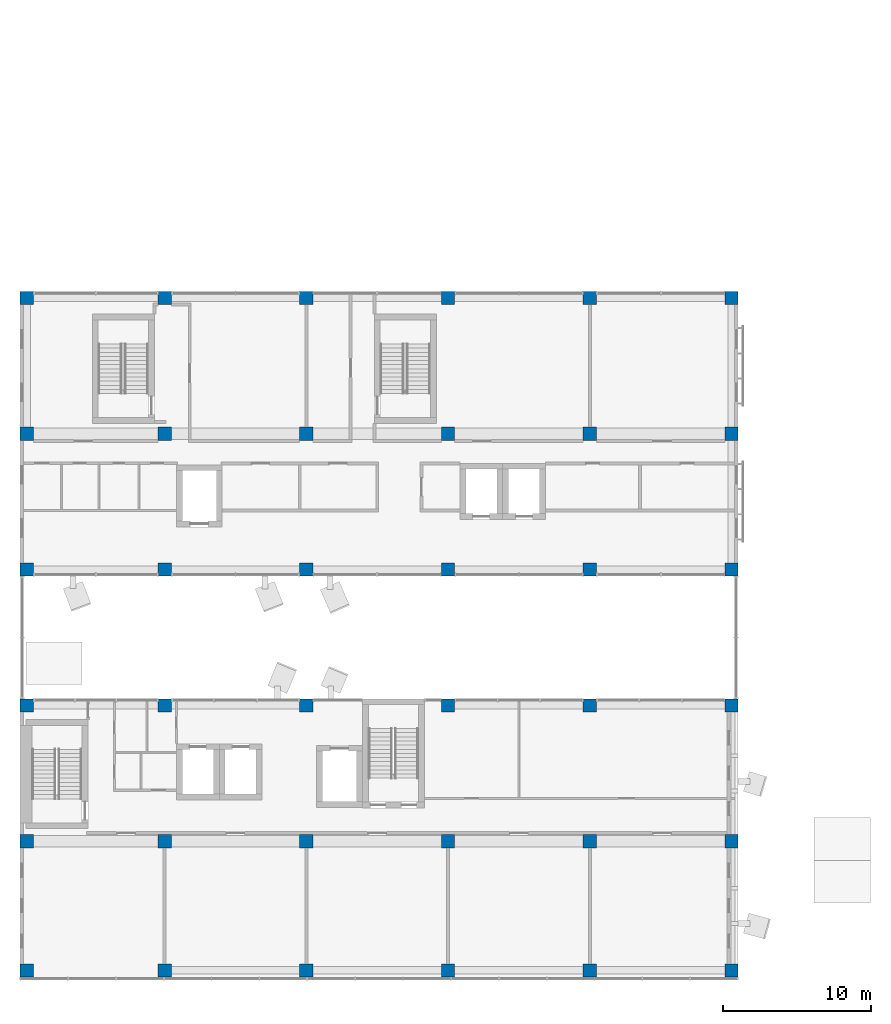
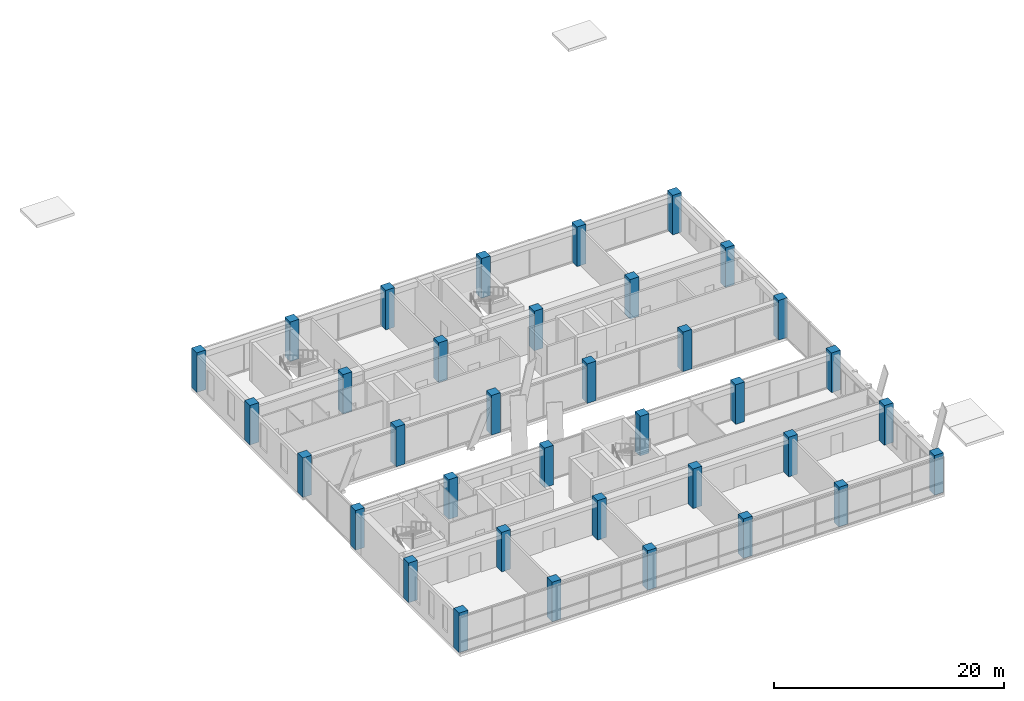
# One storey, part 1 of 36: 36 columns.
"""IFC4 building model written with IfcOpenShell, lengths in metres."""

from ifc_helpers import new_model, si_unit, direction, frame, origin, origin_2d, place, context, subcontext, project, spatial, rectangle, extrude, material, material_profile, profile_set, type_object, element, save


model = new_model("IFC4")

# Units and contexts
model_context = context("Model", 3, precision=1e-05, world=origin(), true_north=direction((0.0, 1.0)))
body_context = subcontext(model_context, "Body", "Model", "MODEL_VIEW")
ifc_project = project(units=[si_unit("LENGTHUNIT", "METRE"), si_unit("AREAUNIT", "SQUARE_METRE"), si_unit("VOLUMEUNIT", "CUBIC_METRE"), si_unit("PLANEANGLEUNIT", "RADIAN"), si_unit("MASSUNIT", "GRAM", prefix="KILO")], contexts=[model_context])

# Site, building, storey
site_placement = place(None, origin())
site = spatial("IfcSite", under=ifc_project, at=site_placement, CompositionType="ELEMENT")
building_placement = place(site_placement, origin())
building = spatial("IfcBuilding", under=site, at=building_placement, Name="Nzadi Deep Aquarium and Research Tower", CompositionType="ELEMENT")
storey_placement = place(building_placement, frame((0.0, 0.0, 36.10009765625)))
storey = spatial("IfcBuildingStorey", under=building, at=storey_placement, Name="L06", CompositionType="ELEMENT", Elevation=36.10009765625)

# Columns
ifc_material = material(Name="Concrete C40/50", Category="concrete")
ifc_material_profile = material_profile(ifc_material, rectangle(XDim=0.89990234375, YDim=0.89990234375, at=origin_2d()))
ifc_profile_set = profile_set([ifc_material_profile], Name="Concrete C40/50")
column_type = type_object("IfcColumnType", Name="RC 900x900", PredefinedType="COLUMN", material=ifc_profile_set)
for number, where, z_axis, x_axis, name in (
    (1, (0.25048828125, 0.449951171875, 0.0), (0.0, 0.0, 1.0), (1.0, 0.0, 0.0), "C-Z1-L06-A1"),
    (2, (9.60009765625, 0.449951171875, 0.0), (0.0, 0.0, 1.0), (1.0, 0.0, 0.0), "C-Z1-L06-B1"),
    (3, (19.199951171875, 0.449951171875, 0.0), (0.0, 0.0, 1.0), (1.0, 0.0, 0.0), "C-Z1-L06-C1"),
    (4, (28.800048828125, 0.449951171875, 0.0), (0.0, 0.0, 1.0), (1.0, 0.0, 0.0), "C-Z1-L06-D1"),
    (5, (38.39990234375, 0.449951171875, 0.0), (0.0, 0.0, 1.0), (1.0, 0.0, 0.0), "C-Z1-L06-E1"),
    (6, (48.0, 0.449951171875, 0.0), (0.0, 0.0, 1.0), (1.0, 0.0, 0.0), "C-Z1-L06-F1"),
    (7, (0.25048828125, 9.199951171875, 0.0), (0.0, 0.0, 1.0), (1.0, 0.0, 0.0), "C-Z1-L06-A2"),
    (8, (9.60009765625, 9.199951171875, 0.0), (0.0, 0.0, 1.0), (1.0, 0.0, 0.0), "C-Z1-L06-B2"),
    (9, (19.199951171875, 9.199951171875, 0.0), (0.0, 0.0, 1.0), (1.0, 0.0, 0.0), "C-Z1-L06-C2"),
    (10, (28.800048828125, 9.199951171875, 0.0), (0.0, 0.0, 1.0), (1.0, 0.0, 0.0), "C-Z1-L06-D2"),
    (11, (38.39990234375, 9.199951171875, 0.0), (0.0, 0.0, 1.0), (1.0, 0.0, 0.0), "C-Z1-L06-E2"),
    (12, (48.0, 9.199951171875, 0.0), (0.0, 0.0, 1.0), (1.0, 0.0, 0.0), "C-Z1-L06-F2"),
    (13, (0.25048828125, 18.39990234375, 0.0), (0.0, 0.0, 1.0), (1.0, 0.0, 0.0), "C-Z1-L06-A3"),
    (14, (9.60009765625, 18.39990234375, 0.0), (0.0, 0.0, 1.0), (1.0, 0.0, 0.0), "C-Z1-L06-B3"),
    (15, (19.199951171875, 18.39990234375, 0.0), (0.0, 0.0, 1.0), (1.0, 0.0, 0.0), "C-Z1-L06-C3"),
    (16, (28.800048828125, 18.39990234375, 0.0), (0.0, 0.0, 1.0), (1.0, 0.0, 0.0), "C-Z1-L06-D3"),
    (17, (38.39990234375, 18.39990234375, 0.0), (0.0, 0.0, 1.0), (1.0, 0.0, 0.0), "C-Z1-L06-E3"),
    (18, (48.0, 18.39990234375, 0.0), (0.0, 0.0, 1.0), (1.0, 0.0, 0.0), "C-Z1-L06-F3"),
    (19, (0.25048828125, 27.60009765625, 0.0), (0.0, 0.0, 1.0), (1.0, 0.0, 0.0), "C-Z1-L06-A4"),
    (20, (9.60009765625, 27.60009765625, 0.0), (0.0, 0.0, 1.0), (1.0, 0.0, 0.0), "C-Z1-L06-B4"),
    (21, (19.199951171875, 27.60009765625, 0.0), (0.0, 0.0, 1.0), (1.0, 0.0, 0.0), "C-Z1-L06-C4"),
    (22, (28.800048828125, 27.60009765625, 0.0), (0.0, 0.0, 1.0), (1.0, 0.0, 0.0), "C-Z1-L06-D4"),
    (23, (38.39990234375, 27.60009765625, 0.0), (0.0, 0.0, 1.0), (1.0, 0.0, 0.0), "C-Z1-L06-E4"),
    (24, (48.0, 27.60009765625, 0.0), (0.0, 0.0, 1.0), (1.0, 0.0, 0.0), "C-Z1-L06-F4"),
    (25, (0.25048828125, 36.800048828125, 0.0), (0.0, 0.0, 1.0), (1.0, 0.0, 0.0), "C-Z1-L06-A5"),
    (26, (9.60009765625, 36.800048828125, 0.0), (0.0, 0.0, 1.0), (1.0, 0.0, 0.0), "C-Z1-L06-B5"),
    (27, (19.199951171875, 36.800048828125, 0.0), (0.0, 0.0, 1.0), (1.0, 0.0, 0.0), "C-Z1-L06-C5"),
    (28, (28.800048828125, 36.800048828125, 0.0), (0.0, 0.0, 1.0), (1.0, 0.0, 0.0), "C-Z1-L06-D5"),
    (29, (38.39990234375, 36.800048828125, 0.0), (0.0, 0.0, 1.0), (1.0, 0.0, 0.0), "C-Z1-L06-E5"),
    (30, (48.0, 36.800048828125, 0.0), (0.0, 0.0, 1.0), (1.0, 0.0, 0.0), "C-Z1-L06-F5"),
    (31, (0.25048828125, 46.0, 0.0), (0.0, 0.0, 1.0), (1.0, 0.0, 0.0), "C-Z1-L06-A6"),
    (32, (9.60009765625, 46.0, 0.0), (0.0, 0.0, 1.0), (1.0, 0.0, 0.0), "C-Z1-L06-B6"),
    (33, (19.199951171875, 46.0, 0.0), (0.0, 0.0, 1.0), (1.0, 0.0, 0.0), "C-Z1-L06-C6"),
    (34, (28.800048828125, 46.0, 0.0), (0.0, 0.0, 1.0), (1.0, 0.0, 0.0), "C-Z1-L06-D6"),
    (35, (38.39990234375, 46.0, 0.0), (0.0, 0.0, 1.0), (1.0, 0.0, 0.0), "C-Z1-L06-E6"),
    (36, (48.0, 46.0, 0.0), (0.0, 0.0, 1.0), (1.0, 0.0, 0.0), "C-Z1-L06-F6"),
):
    element("IfcColumn", number, at=place(storey_placement, frame(where, z_axis=z_axis, x_axis=x_axis)), inside=storey, type_object=column_type, Name=name, PredefinedType="COLUMN", context=body_context, shape_type="SweptSolid", body=[
        extrude(rectangle(XDim=0.89990234375, YDim=0.89990234375, at=origin_2d()), origin(), (0.0, 0.0, 1.0), 4.199951171875),
    ])

save(model, "model.ifc")
